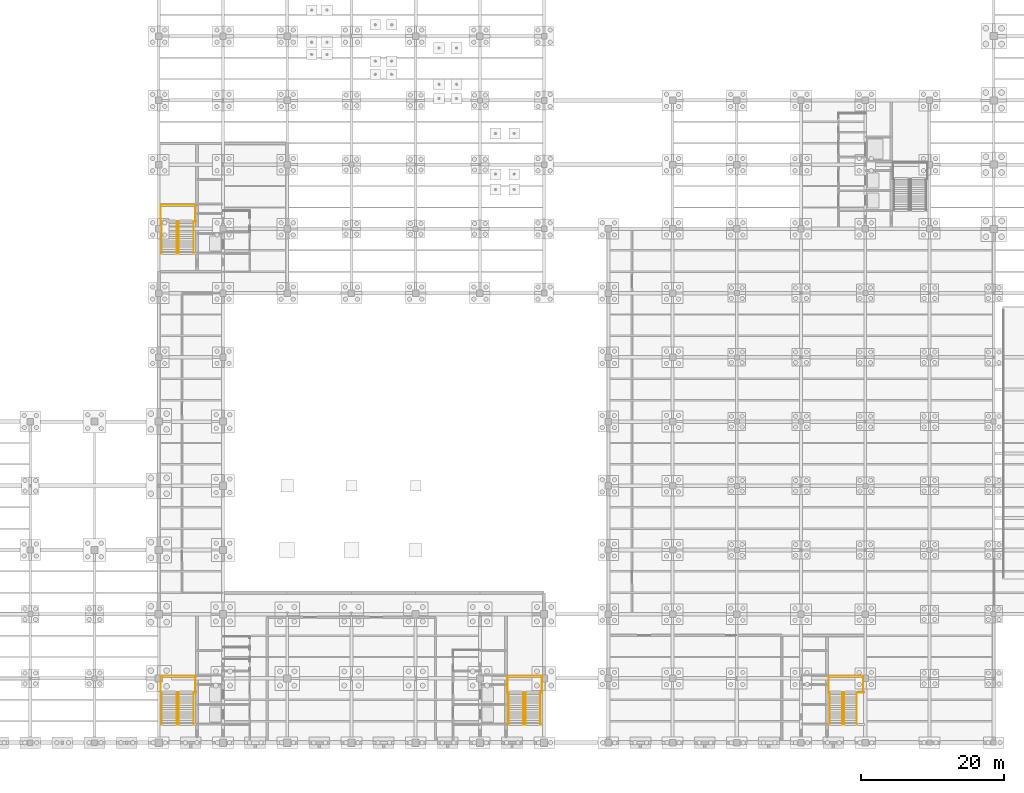
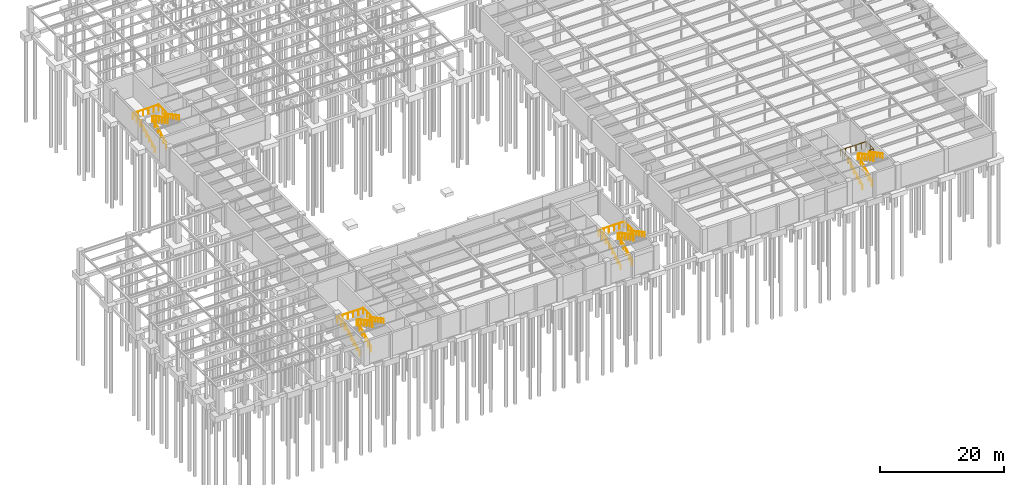
# One storey, part 47 of 49: 16 railings.
"""IFC4 building model written with IfcOpenShell, lengths in metres."""

from ifc_helpers import new_model, si_unit, direction, frame, origin, origin_2d, place, context, subcontext, project, spatial, circle, extrude, material, type_object, element, save


model = new_model("IFC4")

# Units and contexts
model_context = context("Model", 3, precision=1e-05, world=origin(), true_north=direction((0.0, 1.0)))
body_context = subcontext(model_context, "Body", "Model", "MODEL_VIEW")
ifc_project = project(units=[si_unit("LENGTHUNIT", "METRE"), si_unit("AREAUNIT", "SQUARE_METRE"), si_unit("VOLUMEUNIT", "CUBIC_METRE"), si_unit("PLANEANGLEUNIT", "RADIAN"), si_unit("MASSUNIT", "GRAM", prefix="KILO")], contexts=[model_context])

# Site, building, storey
site_placement = place(None, origin())
site = spatial("IfcSite", under=ifc_project, at=site_placement, CompositionType="ELEMENT")
building_placement = place(site_placement, origin())
building = spatial("IfcBuilding", under=site, at=building_placement, Name="Lykobir Media Centre", CompositionType="ELEMENT")
storey_placement = place(building_placement, frame((0.0, 0.0, -4.800048828125)))
storey = spatial("IfcBuildingStorey", under=building, at=storey_placement, Name="B1", CompositionType="ELEMENT", Elevation=-4.800048828125)

# Railings
ifc_material = material(Name="Steel S355", Category="steel")
railing_type_1 = type_object("IfcRailingType", Name="GR-1200", PredefinedType="BALUSTRADE", material=ifc_material)
railing_1_placement = place(storey_placement, frame((29.530029296875, 2.530029296875, 0.0)))
element("IfcRailing", 1, at=railing_1_placement, inside=storey, type_object=railing_type_1, Name="ST-1 B1 inner well and slot guard", PredefinedType="BALUSTRADE", context=body_context, shape_type="SweptSolid", body=[
    extrude(circle(Radius=0.02392578125, at=origin_2d()), frame((0.0, 0.0, 1.17578125), z_axis=(0.0, 0.882341014787, 0.470610596591), x_axis=(-1.0, 0.0, 0.0)), (0.0, 0.0, 1.0), 5.10009765625),
    extrude(circle(Radius=0.02392578125, at=origin_2d()), frame((0.0, 4.5, 3.576171875), z_axis=(1.0, 0.0, 0.0), x_axis=(0.0, 1.0, 0.0)), (0.0, 0.0, 1.0), 0.280029296875),
    extrude(circle(Radius=0.02392578125, at=origin_2d()), frame((0.280029296875, 4.5, 3.576171875), z_axis=(0.0, -0.882360891967, 0.470573327259), x_axis=(1.0, 0.0, 0.0)), (0.0, 0.0, 1.0), 5.099853515625),
    extrude(circle(Radius=0.02099609375, at=origin_2d()), origin(), (0.0, 0.0, 1.0), 1.15185546875),
    extrude(circle(Radius=0.02099609375, at=origin_2d()), frame((0.0, 0.89990234375, 0.47998046875)), (0.0, 0.0, 1.0), 1.15185546875),
    extrude(circle(Radius=0.02099609375, at=origin_2d()), frame((0.0, 1.800048828125, 0.9599609375)), (0.0, 0.0, 1.0), 1.15185546875),
    extrude(circle(Radius=0.02099609375, at=origin_2d()), frame((0.0, 2.699951171875, 1.440185546875)), (0.0, 0.0, 1.0), 1.15185546875),
    extrude(circle(Radius=0.02099609375, at=origin_2d()), frame((0.0, 3.60009765625, 1.920166015625)), (0.0, 0.0, 1.0), 1.15185546875),
    extrude(circle(Radius=0.02099609375, at=origin_2d()), frame((0.0, 4.5, 2.400146484375)), (0.0, 0.0, 1.0), 1.15185546875),
    extrude(circle(Radius=0.02099609375, at=origin_2d()), frame((0.280029296875, 4.5, 2.400146484375)), (0.0, 0.0, 1.0), 1.15185546875),
    extrude(circle(Radius=0.02099609375, at=origin_2d()), frame((0.280029296875, 3.60009765625, 2.880126953125)), (0.0, 0.0, 1.0), 1.15185546875),
    extrude(circle(Radius=0.02099609375, at=origin_2d()), frame((0.280029296875, 2.699951171875, 3.360107421875)), (0.0, 0.0, 1.0), 1.15185546875),
    extrude(circle(Radius=0.02099609375, at=origin_2d()), frame((0.280029296875, 1.800048828125, 3.840087890625)), (0.0, 0.0, 1.0), 1.15185546875),
    extrude(circle(Radius=0.02099609375, at=origin_2d()), frame((0.280029296875, 0.89990234375, 4.320068359375)), (0.0, 0.0, 1.0), 1.15185546875),
    extrude(circle(Radius=0.02099609375, at=origin_2d()), frame((0.280029296875, 0.0, 4.800048828125)), (0.0, 0.0, 1.0), 1.15185546875),
])
railing_2_placement = place(storey_placement, frame((27.389892578125, 6.989990234375, 2.400146484375)))
element("IfcRailing", 2, at=railing_2_placement, inside=storey, type_object=railing_type_1, Name="ST-1 B1 half-landing perimeter guard", PredefinedType="BALUSTRADE", context=body_context, shape_type="SweptSolid", body=[
    extrude(circle(Radius=0.02392578125, at=origin_2d()), frame((0.0, 0.0, 1.17578125), z_axis=(-1.0, 0.0, 0.0), x_axis=(0.0, -1.0, 0.0)), (0.0, 0.0, 1.0), 0.10986328125),
    extrude(circle(Radius=0.02392578125, at=origin_2d()), frame((-0.10986328125, 0.0, 1.17578125), z_axis=(0.0, 1.0, 0.0), x_axis=(-1.0, 0.0, 0.0)), (0.0, 0.0, 1.0), 2.39990234375),
    extrude(circle(Radius=0.02392578125, at=origin_2d()), frame((-0.10986328125, 2.39990234375, 1.17578125), z_axis=(1.0, 0.0, 0.0), x_axis=(0.0, 1.0, 0.0)), (0.0, 0.0, 1.0), 4.840087890625),
    extrude(circle(Radius=0.02392578125, at=origin_2d()), frame((4.730224609375, 2.39990234375, 1.17578125), z_axis=(0.0, -1.0, 0.0), x_axis=(1.0, 0.0, 0.0)), (0.0, 0.0, 1.0), 2.39990234375),
    extrude(circle(Radius=0.02392578125, at=origin_2d()), frame((4.730224609375, 0.0, 1.17578125), z_axis=(-1.0, 0.0, 0.0), x_axis=(0.0, -1.0, 0.0)), (0.0, 0.0, 1.0), 0.170166015625),
    extrude(circle(Radius=0.02099609375, at=origin_2d()), origin(), (0.0, 0.0, 1.0), 1.15185546875),
    extrude(circle(Radius=0.02099609375, at=origin_2d()), frame((-0.10986328125, 0.0, 0.0)), (0.0, 0.0, 1.0), 1.15185546875),
    extrude(circle(Radius=0.02099609375, at=origin_2d()), frame((-0.10986328125, 1.199951171875, 0.0)), (0.0, 0.0, 1.0), 1.15185546875),
    extrude(circle(Radius=0.02099609375, at=origin_2d()), frame((-0.10986328125, 2.39990234375, 0.0)), (0.0, 0.0, 1.0), 1.15185546875),
    extrude(circle(Radius=0.02099609375, at=origin_2d()), frame((0.858154296875, 2.39990234375, 0.0)), (0.0, 0.0, 1.0), 1.15185546875),
    extrude(circle(Radius=0.02099609375, at=origin_2d()), frame((1.826171875, 2.39990234375, 0.0)), (0.0, 0.0, 1.0), 1.15185546875),
    extrude(circle(Radius=0.02099609375, at=origin_2d()), frame((2.794189453125, 2.39990234375, 0.0)), (0.0, 0.0, 1.0), 1.15185546875),
    extrude(circle(Radius=0.02099609375, at=origin_2d()), frame((3.76220703125, 2.39990234375, 0.0)), (0.0, 0.0, 1.0), 1.15185546875),
    extrude(circle(Radius=0.02099609375, at=origin_2d()), frame((4.730224609375, 2.39990234375, 0.0)), (0.0, 0.0, 1.0), 1.15185546875),
    extrude(circle(Radius=0.02099609375, at=origin_2d()), frame((4.730224609375, 1.199951171875, 0.0)), (0.0, 0.0, 1.0), 1.15185546875),
    extrude(circle(Radius=0.02099609375, at=origin_2d()), frame((4.730224609375, 0.0, 0.0)), (0.0, 0.0, 1.0), 1.15185546875),
    extrude(circle(Radius=0.02099609375, at=origin_2d()), frame((4.56005859375, 0.0, 0.0)), (0.0, 0.0, 1.0), 1.15185546875),
])
railing_3_placement = place(storey_placement, frame((78.1298828125, 2.530029296875, 0.0)))
element("IfcRailing", 3, at=railing_3_placement, inside=storey, type_object=railing_type_1, Name="ST-2 B1 inner well and slot guard", PredefinedType="BALUSTRADE", context=body_context, shape_type="SweptSolid", body=[
    extrude(circle(Radius=0.02392578125, at=origin_2d()), frame((0.0, 0.0, 1.17578125), z_axis=(0.0, 0.882341014787, 0.470610596591), x_axis=(-1.0, 0.0, 0.0)), (0.0, 0.0, 1.0), 5.10009765625),
    extrude(circle(Radius=0.02392578125, at=origin_2d()), frame((0.0, 4.5, 3.576171875), z_axis=(1.0, 0.0, 0.0), x_axis=(0.0, 1.0, 0.0)), (0.0, 0.0, 1.0), 0.280029296875),
    extrude(circle(Radius=0.02392578125, at=origin_2d()), frame((0.280029296875, 4.5, 3.576171875), z_axis=(0.0, -0.882360891967, 0.470573327259), x_axis=(1.0, 0.0, 0.0)), (0.0, 0.0, 1.0), 5.099853515625),
    extrude(circle(Radius=0.02099609375, at=origin_2d()), origin(), (0.0, 0.0, 1.0), 1.15185546875),
    extrude(circle(Radius=0.02099609375, at=origin_2d()), frame((0.0, 0.89990234375, 0.47998046875)), (0.0, 0.0, 1.0), 1.15185546875),
    extrude(circle(Radius=0.02099609375, at=origin_2d()), frame((0.0, 1.800048828125, 0.9599609375)), (0.0, 0.0, 1.0), 1.15185546875),
    extrude(circle(Radius=0.02099609375, at=origin_2d()), frame((0.0, 2.699951171875, 1.440185546875)), (0.0, 0.0, 1.0), 1.15185546875),
    extrude(circle(Radius=0.02099609375, at=origin_2d()), frame((0.0, 3.60009765625, 1.920166015625)), (0.0, 0.0, 1.0), 1.15185546875),
    extrude(circle(Radius=0.02099609375, at=origin_2d()), frame((0.0, 4.5, 2.400146484375)), (0.0, 0.0, 1.0), 1.15185546875),
    extrude(circle(Radius=0.02099609375, at=origin_2d()), frame((0.280029296875, 4.5, 2.400146484375)), (0.0, 0.0, 1.0), 1.15185546875),
    extrude(circle(Radius=0.02099609375, at=origin_2d()), frame((0.280029296875, 3.60009765625, 2.880126953125)), (0.0, 0.0, 1.0), 1.15185546875),
    extrude(circle(Radius=0.02099609375, at=origin_2d()), frame((0.280029296875, 2.699951171875, 3.360107421875)), (0.0, 0.0, 1.0), 1.15185546875),
    extrude(circle(Radius=0.02099609375, at=origin_2d()), frame((0.280029296875, 1.800048828125, 3.840087890625)), (0.0, 0.0, 1.0), 1.15185546875),
    extrude(circle(Radius=0.02099609375, at=origin_2d()), frame((0.280029296875, 0.89990234375, 4.320068359375)), (0.0, 0.0, 1.0), 1.15185546875),
    extrude(circle(Radius=0.02099609375, at=origin_2d()), frame((0.280029296875, 0.0, 4.800048828125)), (0.0, 0.0, 1.0), 1.15185546875),
])
railing_4_placement = place(storey_placement, frame((75.989990234375, 6.989990234375, 2.400146484375)))
element("IfcRailing", 4, at=railing_4_placement, inside=storey, type_object=railing_type_1, Name="ST-2 B1 half-landing perimeter guard", PredefinedType="BALUSTRADE", context=body_context, shape_type="SweptSolid", body=[
    extrude(circle(Radius=0.02392578125, at=origin_2d()), frame((0.0, 0.0, 1.17578125), z_axis=(-1.0, 0.0, 0.0), x_axis=(0.0, -1.0, 0.0)), (0.0, 0.0, 1.0), 0.110107421875),
    extrude(circle(Radius=0.02392578125, at=origin_2d()), frame((-0.110107421875, 0.0, 1.17578125), z_axis=(0.0, 1.0, 0.0), x_axis=(-1.0, 0.0, 0.0)), (0.0, 0.0, 1.0), 2.39990234375),
    extrude(circle(Radius=0.02392578125, at=origin_2d()), frame((-0.110107421875, 2.39990234375, 1.17578125), z_axis=(1.0, 0.0, 0.0), x_axis=(0.0, 1.0, 0.0)), (0.0, 0.0, 1.0), 4.840087890625),
    extrude(circle(Radius=0.02392578125, at=origin_2d()), frame((4.72998046875, 2.39990234375, 1.17578125), z_axis=(0.0, -1.0, 0.0), x_axis=(1.0, 0.0, 0.0)), (0.0, 0.0, 1.0), 2.39990234375),
    extrude(circle(Radius=0.02392578125, at=origin_2d()), frame((4.72998046875, 0.0, 1.17578125), z_axis=(-1.0, 0.0, 0.0), x_axis=(0.0, -1.0, 0.0)), (0.0, 0.0, 1.0), 0.169921875),
    extrude(circle(Radius=0.02099609375, at=origin_2d()), origin(), (0.0, 0.0, 1.0), 1.15185546875),
    extrude(circle(Radius=0.02099609375, at=origin_2d()), frame((-0.110107421875, 0.0, 0.0)), (0.0, 0.0, 1.0), 1.15185546875),
    extrude(circle(Radius=0.02099609375, at=origin_2d()), frame((-0.110107421875, 1.199951171875, 0.0)), (0.0, 0.0, 1.0), 1.15185546875),
    extrude(circle(Radius=0.02099609375, at=origin_2d()), frame((-0.110107421875, 2.39990234375, 0.0)), (0.0, 0.0, 1.0), 1.15185546875),
    extrude(circle(Radius=0.02099609375, at=origin_2d()), frame((0.85791015625, 2.39990234375, 0.0)), (0.0, 0.0, 1.0), 1.15185546875),
    extrude(circle(Radius=0.02099609375, at=origin_2d()), frame((1.825927734375, 2.39990234375, 0.0)), (0.0, 0.0, 1.0), 1.15185546875),
    extrude(circle(Radius=0.02099609375, at=origin_2d()), frame((2.7939453125, 2.39990234375, 0.0)), (0.0, 0.0, 1.0), 1.15185546875),
    extrude(circle(Radius=0.02099609375, at=origin_2d()), frame((3.761962890625, 2.39990234375, 0.0)), (0.0, 0.0, 1.0), 1.15185546875),
    extrude(circle(Radius=0.02099609375, at=origin_2d()), frame((4.72998046875, 2.39990234375, 0.0)), (0.0, 0.0, 1.0), 1.15185546875),
    extrude(circle(Radius=0.02099609375, at=origin_2d()), frame((4.72998046875, 1.199951171875, 0.0)), (0.0, 0.0, 1.0), 1.15185546875),
    extrude(circle(Radius=0.02099609375, at=origin_2d()), frame((4.72998046875, 0.0, 0.0)), (0.0, 0.0, 1.0), 1.15185546875),
    extrude(circle(Radius=0.02099609375, at=origin_2d()), frame((4.56005859375, 0.0, 0.0)), (0.0, 0.0, 1.0), 1.15185546875),
])
railing_5_placement = place(storey_placement, frame((29.530029296875, 68.530029296875, 0.0)))
element("IfcRailing", 5, at=railing_5_placement, inside=storey, type_object=railing_type_1, Name="ST-3 B1 inner well and slot guard", PredefinedType="BALUSTRADE", context=body_context, shape_type="SweptSolid", body=[
    extrude(circle(Radius=0.02392578125, at=origin_2d()), frame((0.0, 0.0, 1.17578125), z_axis=(0.0, 0.882341014787, 0.470610596591), x_axis=(-1.0, 0.0, 0.0)), (0.0, 0.0, 1.0), 5.10009765625),
    extrude(circle(Radius=0.02392578125, at=origin_2d()), frame((0.0, 4.5, 3.576171875), z_axis=(1.0, 0.0, 0.0), x_axis=(0.0, 1.0, 0.0)), (0.0, 0.0, 1.0), 0.280029296875),
    extrude(circle(Radius=0.02392578125, at=origin_2d()), frame((0.280029296875, 4.5, 3.576171875), z_axis=(0.0, -0.882360891967, 0.470573327259), x_axis=(1.0, 0.0, 0.0)), (0.0, 0.0, 1.0), 5.099853515625),
    extrude(circle(Radius=0.02099609375, at=origin_2d()), origin(), (0.0, 0.0, 1.0), 1.15185546875),
    extrude(circle(Radius=0.02099609375, at=origin_2d()), frame((0.0, 0.89990234375, 0.47998046875)), (0.0, 0.0, 1.0), 1.15185546875),
    extrude(circle(Radius=0.02099609375, at=origin_2d()), frame((0.0, 1.800048828125, 0.9599609375)), (0.0, 0.0, 1.0), 1.15185546875),
    extrude(circle(Radius=0.02099609375, at=origin_2d()), frame((0.0, 2.699951171875, 1.440185546875)), (0.0, 0.0, 1.0), 1.15185546875),
    extrude(circle(Radius=0.02099609375, at=origin_2d()), frame((0.0, 3.60009765625, 1.920166015625)), (0.0, 0.0, 1.0), 1.15185546875),
    extrude(circle(Radius=0.02099609375, at=origin_2d()), frame((0.0, 4.5, 2.400146484375)), (0.0, 0.0, 1.0), 1.15185546875),
    extrude(circle(Radius=0.02099609375, at=origin_2d()), frame((0.280029296875, 4.5, 2.400146484375)), (0.0, 0.0, 1.0), 1.15185546875),
    extrude(circle(Radius=0.02099609375, at=origin_2d()), frame((0.280029296875, 3.60009765625, 2.880126953125)), (0.0, 0.0, 1.0), 1.15185546875),
    extrude(circle(Radius=0.02099609375, at=origin_2d()), frame((0.280029296875, 2.699951171875, 3.360107421875)), (0.0, 0.0, 1.0), 1.15185546875),
    extrude(circle(Radius=0.02099609375, at=origin_2d()), frame((0.280029296875, 1.800048828125, 3.840087890625)), (0.0, 0.0, 1.0), 1.15185546875),
    extrude(circle(Radius=0.02099609375, at=origin_2d()), frame((0.280029296875, 0.89990234375, 4.320068359375)), (0.0, 0.0, 1.0), 1.15185546875),
    extrude(circle(Radius=0.02099609375, at=origin_2d()), frame((0.280029296875, 0.0, 4.800048828125)), (0.0, 0.0, 1.0), 1.15185546875),
])
railing_6_placement = place(storey_placement, frame((27.389892578125, 72.989990234375, 2.400146484375)))
element("IfcRailing", 6, at=railing_6_placement, inside=storey, type_object=railing_type_1, Name="ST-3 B1 half-landing perimeter guard", PredefinedType="BALUSTRADE", context=body_context, shape_type="SweptSolid", body=[
    extrude(circle(Radius=0.02392578125, at=origin_2d()), frame((0.0, 0.0, 1.17578125), z_axis=(-1.0, 0.0, 0.0), x_axis=(0.0, -1.0, 0.0)), (0.0, 0.0, 1.0), 0.10986328125),
    extrude(circle(Radius=0.02392578125, at=origin_2d()), frame((-0.10986328125, 0.0, 1.17578125), z_axis=(0.0, 1.0, 0.0), x_axis=(-1.0, 0.0, 0.0)), (0.0, 0.0, 1.0), 2.39990234375),
    extrude(circle(Radius=0.02392578125, at=origin_2d()), frame((-0.10986328125, 2.39990234375, 1.17578125), z_axis=(1.0, 0.0, 0.0), x_axis=(0.0, 1.0, 0.0)), (0.0, 0.0, 1.0), 4.840087890625),
    extrude(circle(Radius=0.02392578125, at=origin_2d()), frame((4.730224609375, 2.39990234375, 1.17578125), z_axis=(0.0, -1.0, 0.0), x_axis=(1.0, 0.0, 0.0)), (0.0, 0.0, 1.0), 2.39990234375),
    extrude(circle(Radius=0.02392578125, at=origin_2d()), frame((4.730224609375, 0.0, 1.17578125), z_axis=(-1.0, 0.0, 0.0), x_axis=(0.0, -1.0, 0.0)), (0.0, 0.0, 1.0), 0.170166015625),
    extrude(circle(Radius=0.02099609375, at=origin_2d()), origin(), (0.0, 0.0, 1.0), 1.15185546875),
    extrude(circle(Radius=0.02099609375, at=origin_2d()), frame((-0.10986328125, 0.0, 0.0)), (0.0, 0.0, 1.0), 1.15185546875),
    extrude(circle(Radius=0.02099609375, at=origin_2d()), frame((-0.10986328125, 1.199951171875, 0.0)), (0.0, 0.0, 1.0), 1.15185546875),
    extrude(circle(Radius=0.02099609375, at=origin_2d()), frame((-0.10986328125, 2.39990234375, 0.0)), (0.0, 0.0, 1.0), 1.15185546875),
    extrude(circle(Radius=0.02099609375, at=origin_2d()), frame((0.858154296875, 2.39990234375, 0.0)), (0.0, 0.0, 1.0), 1.15185546875),
    extrude(circle(Radius=0.02099609375, at=origin_2d()), frame((1.826171875, 2.39990234375, 0.0)), (0.0, 0.0, 1.0), 1.15185546875),
    extrude(circle(Radius=0.02099609375, at=origin_2d()), frame((2.794189453125, 2.39990234375, 0.0)), (0.0, 0.0, 1.0), 1.15185546875),
    extrude(circle(Radius=0.02099609375, at=origin_2d()), frame((3.76220703125, 2.39990234375, 0.0)), (0.0, 0.0, 1.0), 1.15185546875),
    extrude(circle(Radius=0.02099609375, at=origin_2d()), frame((4.730224609375, 2.39990234375, 0.0)), (0.0, 0.0, 1.0), 1.15185546875),
    extrude(circle(Radius=0.02099609375, at=origin_2d()), frame((4.730224609375, 1.199951171875, 0.0)), (0.0, 0.0, 1.0), 1.15185546875),
    extrude(circle(Radius=0.02099609375, at=origin_2d()), frame((4.730224609375, 0.0, 0.0)), (0.0, 0.0, 1.0), 1.15185546875),
    extrude(circle(Radius=0.02099609375, at=origin_2d()), frame((4.56005859375, 0.0, 0.0)), (0.0, 0.0, 1.0), 1.15185546875),
])
railing_7_placement = place(storey_placement, frame((122.780029296875, 2.530029296875, 0.0)))
element("IfcRailing", 7, at=railing_7_placement, inside=storey, type_object=railing_type_1, Name="ST-5 B1 inner well and slot guard", PredefinedType="BALUSTRADE", context=body_context, shape_type="SweptSolid", body=[
    extrude(circle(Radius=0.02392578125, at=origin_2d()), frame((0.0, 0.0, 1.17578125), z_axis=(0.0, 0.882341014787, 0.470610596591), x_axis=(-1.0, 0.0, 0.0)), (0.0, 0.0, 1.0), 5.10009765625),
    extrude(circle(Radius=0.02392578125, at=origin_2d()), frame((0.0, 4.5, 3.576171875), z_axis=(1.0, 0.0, 0.0), x_axis=(0.0, 1.0, 0.0)), (0.0, 0.0, 1.0), 0.280029296875),
    extrude(circle(Radius=0.02392578125, at=origin_2d()), frame((0.280029296875, 4.5, 3.576171875), z_axis=(0.0, -0.882360891967, 0.470573327259), x_axis=(1.0, 0.0, 0.0)), (0.0, 0.0, 1.0), 5.099853515625),
    extrude(circle(Radius=0.02099609375, at=origin_2d()), origin(), (0.0, 0.0, 1.0), 1.15185546875),
    extrude(circle(Radius=0.02099609375, at=origin_2d()), frame((0.0, 0.89990234375, 0.47998046875)), (0.0, 0.0, 1.0), 1.15185546875),
    extrude(circle(Radius=0.02099609375, at=origin_2d()), frame((0.0, 1.800048828125, 0.9599609375)), (0.0, 0.0, 1.0), 1.15185546875),
    extrude(circle(Radius=0.02099609375, at=origin_2d()), frame((0.0, 2.699951171875, 1.440185546875)), (0.0, 0.0, 1.0), 1.15185546875),
    extrude(circle(Radius=0.02099609375, at=origin_2d()), frame((0.0, 3.60009765625, 1.920166015625)), (0.0, 0.0, 1.0), 1.15185546875),
    extrude(circle(Radius=0.02099609375, at=origin_2d()), frame((0.0, 4.5, 2.400146484375)), (0.0, 0.0, 1.0), 1.15185546875),
    extrude(circle(Radius=0.02099609375, at=origin_2d()), frame((0.280029296875, 4.5, 2.400146484375)), (0.0, 0.0, 1.0), 1.15185546875),
    extrude(circle(Radius=0.02099609375, at=origin_2d()), frame((0.280029296875, 3.60009765625, 2.880126953125)), (0.0, 0.0, 1.0), 1.15185546875),
    extrude(circle(Radius=0.02099609375, at=origin_2d()), frame((0.280029296875, 2.699951171875, 3.360107421875)), (0.0, 0.0, 1.0), 1.15185546875),
    extrude(circle(Radius=0.02099609375, at=origin_2d()), frame((0.280029296875, 1.800048828125, 3.840087890625)), (0.0, 0.0, 1.0), 1.15185546875),
    extrude(circle(Radius=0.02099609375, at=origin_2d()), frame((0.280029296875, 0.89990234375, 4.320068359375)), (0.0, 0.0, 1.0), 1.15185546875),
    extrude(circle(Radius=0.02099609375, at=origin_2d()), frame((0.280029296875, 0.0, 4.800048828125)), (0.0, 0.0, 1.0), 1.15185546875),
])
railing_8_placement = place(storey_placement, frame((120.989990234375, 6.989990234375, 2.400146484375)))
element("IfcRailing", 8, at=railing_8_placement, inside=storey, type_object=railing_type_1, Name="ST-5 B1 half-landing perimeter guard", PredefinedType="BALUSTRADE", context=body_context, shape_type="SweptSolid", body=[
    extrude(circle(Radius=0.02392578125, at=origin_2d()), frame((0.0, 0.0, 1.17578125), z_axis=(-1.0, 0.0, 0.0), x_axis=(0.0, -1.0, 0.0)), (0.0, 0.0, 1.0), 0.110107421875),
    extrude(circle(Radius=0.02392578125, at=origin_2d()), frame((-0.110107421875, 0.0, 1.17578125), z_axis=(0.0, 1.0, 0.0), x_axis=(-1.0, 0.0, 0.0)), (0.0, 0.0, 1.0), 2.39990234375),
    extrude(circle(Radius=0.02392578125, at=origin_2d()), frame((-0.110107421875, 2.39990234375, 1.17578125), z_axis=(1.0, 0.0, 0.0), x_axis=(0.0, 1.0, 0.0)), (0.0, 0.0, 1.0), 4.840087890625),
    extrude(circle(Radius=0.02392578125, at=origin_2d()), frame((4.72998046875, 2.39990234375, 1.17578125), z_axis=(0.0, -1.0, 0.0), x_axis=(1.0, 0.0, 0.0)), (0.0, 0.0, 1.0), 2.39990234375),
    extrude(circle(Radius=0.02392578125, at=origin_2d()), frame((4.72998046875, 0.0, 1.17578125), z_axis=(-1.0, 0.0, 0.0), x_axis=(0.0, -1.0, 0.0)), (0.0, 0.0, 1.0), 0.869873046875),
    extrude(circle(Radius=0.02099609375, at=origin_2d()), origin(), (0.0, 0.0, 1.0), 1.15185546875),
    extrude(circle(Radius=0.02099609375, at=origin_2d()), frame((-0.110107421875, 0.0, 0.0)), (0.0, 0.0, 1.0), 1.15185546875),
    extrude(circle(Radius=0.02099609375, at=origin_2d()), frame((-0.110107421875, 1.199951171875, 0.0)), (0.0, 0.0, 1.0), 1.15185546875),
    extrude(circle(Radius=0.02099609375, at=origin_2d()), frame((-0.110107421875, 2.39990234375, 0.0)), (0.0, 0.0, 1.0), 1.15185546875),
    extrude(circle(Radius=0.02099609375, at=origin_2d()), frame((0.85791015625, 2.39990234375, 0.0)), (0.0, 0.0, 1.0), 1.15185546875),
    extrude(circle(Radius=0.02099609375, at=origin_2d()), frame((1.825927734375, 2.39990234375, 0.0)), (0.0, 0.0, 1.0), 1.15185546875),
    extrude(circle(Radius=0.02099609375, at=origin_2d()), frame((2.7939453125, 2.39990234375, 0.0)), (0.0, 0.0, 1.0), 1.15185546875),
    extrude(circle(Radius=0.02099609375, at=origin_2d()), frame((3.761962890625, 2.39990234375, 0.0)), (0.0, 0.0, 1.0), 1.15185546875),
    extrude(circle(Radius=0.02099609375, at=origin_2d()), frame((4.72998046875, 2.39990234375, 0.0)), (0.0, 0.0, 1.0), 1.15185546875),
    extrude(circle(Radius=0.02099609375, at=origin_2d()), frame((4.72998046875, 1.199951171875, 0.0)), (0.0, 0.0, 1.0), 1.15185546875),
    extrude(circle(Radius=0.02099609375, at=origin_2d()), frame((4.72998046875, 0.0, 0.0)), (0.0, 0.0, 1.0), 1.15185546875),
    extrude(circle(Radius=0.02099609375, at=origin_2d()), frame((3.860107421875, 0.0, 0.0)), (0.0, 0.0, 1.0), 1.15185546875),
])
railing_type_2 = type_object("IfcRailingType", Name="HR-0900", PredefinedType="HANDRAIL", material=ifc_material)
railing_9_placement = place(storey_placement, frame((27.429931640625, 2.530029296875, 0.0)))
element("IfcRailing", 9, at=railing_9_placement, inside=storey, type_object=railing_type_2, Name="ST-1 B1 F1 wall handrail", PredefinedType="HANDRAIL", context=body_context, shape_type="SweptSolid", body=[
    extrude(circle(Radius=0.02392578125, at=origin_2d()), frame((0.0, 0.0, 0.8759765625), z_axis=(0.0, 0.882341014787, 0.470610596591), x_axis=(-1.0, 0.0, 0.0)), (0.0, 0.0, 1.0), 5.10009765625),
    extrude(circle(Radius=0.02099609375, at=origin_2d()), origin(), (0.0, 0.0, 1.0), 0.851806640625),
    extrude(circle(Radius=0.02099609375, at=origin_2d()), frame((0.0, 0.89990234375, 0.47998046875)), (0.0, 0.0, 1.0), 0.851806640625),
    extrude(circle(Radius=0.02099609375, at=origin_2d()), frame((0.0, 1.800048828125, 0.9599609375)), (0.0, 0.0, 1.0), 0.851806640625),
    extrude(circle(Radius=0.02099609375, at=origin_2d()), frame((0.0, 2.699951171875, 1.440185546875)), (0.0, 0.0, 1.0), 0.851806640625),
    extrude(circle(Radius=0.02099609375, at=origin_2d()), frame((0.0, 3.60009765625, 1.920166015625)), (0.0, 0.0, 1.0), 0.851806640625),
    extrude(circle(Radius=0.02099609375, at=origin_2d()), frame((0.0, 4.5, 2.400146484375)), (0.0, 0.0, 1.0), 0.851806640625),
])
railing_10_placement = place(storey_placement, frame((31.909912109375, 7.030029296875, 2.400146484375)))
element("IfcRailing", 10, at=railing_10_placement, inside=storey, type_object=railing_type_2, Name="ST-1 B1 F2 wall handrail", PredefinedType="HANDRAIL", context=body_context, shape_type="SweptSolid", body=[
    extrude(circle(Radius=0.02392578125, at=origin_2d()), frame((0.0, 0.0, 0.8759765625), z_axis=(0.0, -0.882360891967, 0.470573327259), x_axis=(1.0, 0.0, 0.0)), (0.0, 0.0, 1.0), 5.099853515625),
    extrude(circle(Radius=0.02099609375, at=origin_2d()), origin(), (0.0, 0.0, 1.0), 0.851806640625),
    extrude(circle(Radius=0.02099609375, at=origin_2d()), frame((0.0, -0.89990234375, 0.47998046875)), (0.0, 0.0, 1.0), 0.851806640625),
    extrude(circle(Radius=0.02099609375, at=origin_2d()), frame((0.0, -1.800048828125, 0.9599609375)), (0.0, 0.0, 1.0), 0.851806640625),
    extrude(circle(Radius=0.02099609375, at=origin_2d()), frame((0.0, -2.699951171875, 1.43994140625)), (0.0, 0.0, 1.0), 0.851806640625),
    extrude(circle(Radius=0.02099609375, at=origin_2d()), frame((0.0, -3.60009765625, 1.919921875)), (0.0, 0.0, 1.0), 0.851806640625),
    extrude(circle(Radius=0.02099609375, at=origin_2d()), frame((0.0, -4.5, 2.39990234375)), (0.0, 0.0, 1.0), 0.851806640625),
])
railing_11_placement = place(storey_placement, frame((76.030029296875, 2.530029296875, 0.0)))
element("IfcRailing", 11, at=railing_11_placement, inside=storey, type_object=railing_type_2, Name="ST-2 B1 F1 wall handrail", PredefinedType="HANDRAIL", context=body_context, shape_type="SweptSolid", body=[
    extrude(circle(Radius=0.02392578125, at=origin_2d()), frame((0.0, 0.0, 0.8759765625), z_axis=(0.0, 0.882341014787, 0.470610596591), x_axis=(-1.0, 0.0, 0.0)), (0.0, 0.0, 1.0), 5.10009765625),
    extrude(circle(Radius=0.02099609375, at=origin_2d()), origin(), (0.0, 0.0, 1.0), 0.851806640625),
    extrude(circle(Radius=0.02099609375, at=origin_2d()), frame((0.0, 0.89990234375, 0.47998046875)), (0.0, 0.0, 1.0), 0.851806640625),
    extrude(circle(Radius=0.02099609375, at=origin_2d()), frame((0.0, 1.800048828125, 0.9599609375)), (0.0, 0.0, 1.0), 0.851806640625),
    extrude(circle(Radius=0.02099609375, at=origin_2d()), frame((0.0, 2.699951171875, 1.440185546875)), (0.0, 0.0, 1.0), 0.851806640625),
    extrude(circle(Radius=0.02099609375, at=origin_2d()), frame((0.0, 3.60009765625, 1.920166015625)), (0.0, 0.0, 1.0), 0.851806640625),
    extrude(circle(Radius=0.02099609375, at=origin_2d()), frame((0.0, 4.5, 2.400146484375)), (0.0, 0.0, 1.0), 0.851806640625),
])
railing_12_placement = place(storey_placement, frame((80.510009765625, 7.030029296875, 2.400146484375)))
element("IfcRailing", 12, at=railing_12_placement, inside=storey, type_object=railing_type_2, Name="ST-2 B1 F2 wall handrail", PredefinedType="HANDRAIL", context=body_context, shape_type="SweptSolid", body=[
    extrude(circle(Radius=0.02392578125, at=origin_2d()), frame((0.0, 0.0, 0.8759765625), z_axis=(0.0, -0.882360891967, 0.470573327259), x_axis=(1.0, 0.0, 0.0)), (0.0, 0.0, 1.0), 5.099853515625),
    extrude(circle(Radius=0.02099609375, at=origin_2d()), origin(), (0.0, 0.0, 1.0), 0.851806640625),
    extrude(circle(Radius=0.02099609375, at=origin_2d()), frame((0.0, -0.89990234375, 0.47998046875)), (0.0, 0.0, 1.0), 0.851806640625),
    extrude(circle(Radius=0.02099609375, at=origin_2d()), frame((0.0, -1.800048828125, 0.9599609375)), (0.0, 0.0, 1.0), 0.851806640625),
    extrude(circle(Radius=0.02099609375, at=origin_2d()), frame((0.0, -2.699951171875, 1.43994140625)), (0.0, 0.0, 1.0), 0.851806640625),
    extrude(circle(Radius=0.02099609375, at=origin_2d()), frame((0.0, -3.60009765625, 1.919921875)), (0.0, 0.0, 1.0), 0.851806640625),
    extrude(circle(Radius=0.02099609375, at=origin_2d()), frame((0.0, -4.5, 2.39990234375)), (0.0, 0.0, 1.0), 0.851806640625),
])
railing_13_placement = place(storey_placement, frame((27.429931640625, 68.530029296875, 0.0)))
element("IfcRailing", 13, at=railing_13_placement, inside=storey, type_object=railing_type_2, Name="ST-3 B1 F1 wall handrail", PredefinedType="HANDRAIL", context=body_context, shape_type="SweptSolid", body=[
    extrude(circle(Radius=0.02392578125, at=origin_2d()), frame((0.0, 0.0, 0.8759765625), z_axis=(0.0, 0.882341014787, 0.470610596591), x_axis=(-1.0, 0.0, 0.0)), (0.0, 0.0, 1.0), 5.10009765625),
    extrude(circle(Radius=0.02099609375, at=origin_2d()), origin(), (0.0, 0.0, 1.0), 0.851806640625),
    extrude(circle(Radius=0.02099609375, at=origin_2d()), frame((0.0, 0.89990234375, 0.47998046875)), (0.0, 0.0, 1.0), 0.851806640625),
    extrude(circle(Radius=0.02099609375, at=origin_2d()), frame((0.0, 1.800048828125, 0.9599609375)), (0.0, 0.0, 1.0), 0.851806640625),
    extrude(circle(Radius=0.02099609375, at=origin_2d()), frame((0.0, 2.699951171875, 1.440185546875)), (0.0, 0.0, 1.0), 0.851806640625),
    extrude(circle(Radius=0.02099609375, at=origin_2d()), frame((0.0, 3.60009765625, 1.920166015625)), (0.0, 0.0, 1.0), 0.851806640625),
    extrude(circle(Radius=0.02099609375, at=origin_2d()), frame((0.0, 4.5, 2.400146484375)), (0.0, 0.0, 1.0), 0.851806640625),
])
railing_14_placement = place(storey_placement, frame((31.909912109375, 73.030029296875, 2.400146484375)))
element("IfcRailing", 14, at=railing_14_placement, inside=storey, type_object=railing_type_2, Name="ST-3 B1 F2 wall handrail", PredefinedType="HANDRAIL", context=body_context, shape_type="SweptSolid", body=[
    extrude(circle(Radius=0.02392578125, at=origin_2d()), frame((0.0, 0.0, 0.8759765625), z_axis=(0.0, -0.882360891967, 0.470573327259), x_axis=(1.0, 0.0, 0.0)), (0.0, 0.0, 1.0), 5.099853515625),
    extrude(circle(Radius=0.02099609375, at=origin_2d()), origin(), (0.0, 0.0, 1.0), 0.851806640625),
    extrude(circle(Radius=0.02099609375, at=origin_2d()), frame((0.0, -0.89990234375, 0.47998046875)), (0.0, 0.0, 1.0), 0.851806640625),
    extrude(circle(Radius=0.02099609375, at=origin_2d()), frame((0.0, -1.800048828125, 0.9599609375)), (0.0, 0.0, 1.0), 0.851806640625),
    extrude(circle(Radius=0.02099609375, at=origin_2d()), frame((0.0, -2.699951171875, 1.43994140625)), (0.0, 0.0, 1.0), 0.851806640625),
    extrude(circle(Radius=0.02099609375, at=origin_2d()), frame((0.0, -3.60009765625, 1.919921875)), (0.0, 0.0, 1.0), 0.851806640625),
    extrude(circle(Radius=0.02099609375, at=origin_2d()), frame((0.0, -4.5, 2.39990234375)), (0.0, 0.0, 1.0), 0.851806640625),
])
railing_15_placement = place(storey_placement, frame((121.030029296875, 2.530029296875, 0.0)))
element("IfcRailing", 15, at=railing_15_placement, inside=storey, type_object=railing_type_2, Name="ST-5 B1 F1 wall handrail", PredefinedType="HANDRAIL", context=body_context, shape_type="SweptSolid", body=[
    extrude(circle(Radius=0.02392578125, at=origin_2d()), frame((0.0, 0.0, 0.8759765625), z_axis=(0.0, 0.882341014787, 0.470610596591), x_axis=(-1.0, 0.0, 0.0)), (0.0, 0.0, 1.0), 5.10009765625),
    extrude(circle(Radius=0.02099609375, at=origin_2d()), origin(), (0.0, 0.0, 1.0), 0.851806640625),
    extrude(circle(Radius=0.02099609375, at=origin_2d()), frame((0.0, 0.89990234375, 0.47998046875)), (0.0, 0.0, 1.0), 0.851806640625),
    extrude(circle(Radius=0.02099609375, at=origin_2d()), frame((0.0, 1.800048828125, 0.9599609375)), (0.0, 0.0, 1.0), 0.851806640625),
    extrude(circle(Radius=0.02099609375, at=origin_2d()), frame((0.0, 2.699951171875, 1.440185546875)), (0.0, 0.0, 1.0), 0.851806640625),
    extrude(circle(Radius=0.02099609375, at=origin_2d()), frame((0.0, 3.60009765625, 1.920166015625)), (0.0, 0.0, 1.0), 0.851806640625),
    extrude(circle(Radius=0.02099609375, at=origin_2d()), frame((0.0, 4.5, 2.400146484375)), (0.0, 0.0, 1.0), 0.851806640625),
])
railing_16_placement = place(storey_placement, frame((124.81005859375, 7.030029296875, 2.400146484375)))
element("IfcRailing", 16, at=railing_16_placement, inside=storey, type_object=railing_type_2, Name="ST-5 B1 F2 wall handrail", PredefinedType="HANDRAIL", context=body_context, shape_type="SweptSolid", body=[
    extrude(circle(Radius=0.02392578125, at=origin_2d()), frame((0.0, 0.0, 0.8759765625), z_axis=(0.0, -0.882360891967, 0.470573327259), x_axis=(1.0, 0.0, 0.0)), (0.0, 0.0, 1.0), 5.099853515625),
    extrude(circle(Radius=0.02099609375, at=origin_2d()), origin(), (0.0, 0.0, 1.0), 0.851806640625),
    extrude(circle(Radius=0.02099609375, at=origin_2d()), frame((0.0, -0.89990234375, 0.47998046875)), (0.0, 0.0, 1.0), 0.851806640625),
    extrude(circle(Radius=0.02099609375, at=origin_2d()), frame((0.0, -1.800048828125, 0.9599609375)), (0.0, 0.0, 1.0), 0.851806640625),
    extrude(circle(Radius=0.02099609375, at=origin_2d()), frame((0.0, -2.699951171875, 1.43994140625)), (0.0, 0.0, 1.0), 0.851806640625),
    extrude(circle(Radius=0.02099609375, at=origin_2d()), frame((0.0, -3.60009765625, 1.919921875)), (0.0, 0.0, 1.0), 0.851806640625),
    extrude(circle(Radius=0.02099609375, at=origin_2d()), frame((0.0, -4.5, 2.39990234375)), (0.0, 0.0, 1.0), 0.851806640625),
])

save(model, "model.ifc")
